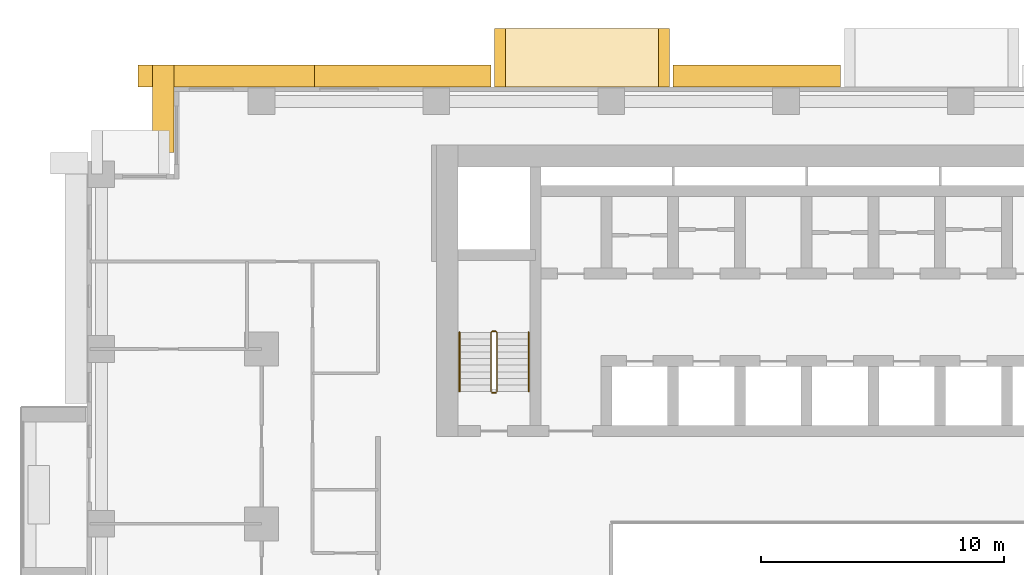
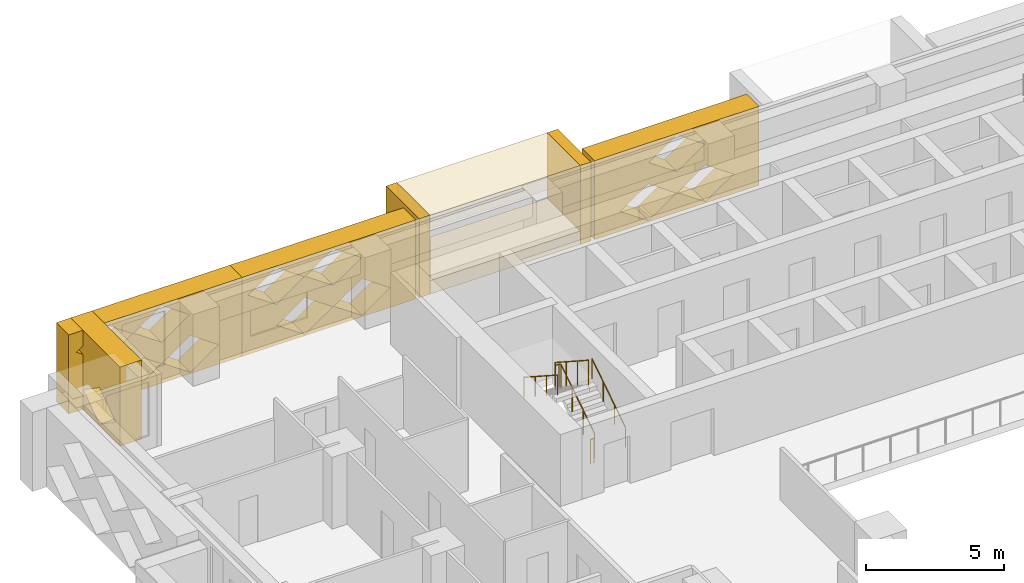
# One storey, part 15 of 17: 8 coverings, 4 railings.
"""IFC4 building model written with IfcOpenShell, lengths in metres."""

from ifc_helpers import new_model, si_unit, direction, frame, origin, origin_2d, place, context, subcontext, project, spatial, polyline, circle, outline, extrude, material, type_object, element, save


model = new_model("IFC4")

# Units and contexts
model_context = context("Model", 3, precision=1e-05, world=origin(), true_north=direction((0.0, 1.0)))
body_context = subcontext(model_context, "Body", "Model", "MODEL_VIEW")
ifc_project = project(units=[si_unit("LENGTHUNIT", "METRE"), si_unit("AREAUNIT", "SQUARE_METRE"), si_unit("VOLUMEUNIT", "CUBIC_METRE"), si_unit("PLANEANGLEUNIT", "RADIAN"), si_unit("MASSUNIT", "GRAM", prefix="KILO")], contexts=[model_context])

# Site, building, storey
site_placement = place(None, origin())
site = spatial("IfcSite", under=ifc_project, at=site_placement, CompositionType="ELEMENT")
building_placement = place(site_placement, origin())
building = spatial("IfcBuilding", under=site, at=building_placement, Name="Saffron Iwan Residences", CompositionType="ELEMENT")
storey_placement = place(building_placement, frame((0.0, 0.0, 41.0)))
storey = spatial("IfcBuildingStorey", under=building, at=storey_placement, Name="L09", CompositionType="ELEMENT", Elevation=41.0)

# Coverings
ifc_material_1 = material(Name="Precast concrete C40/50", Category="concrete")
covering_type_1 = type_object("IfcCoveringType", Name="OUTER SKIN LATTICE SCREEN", PredefinedType="CLADDING", material=ifc_material_1)
covering_1_placement = place(storey_placement, frame((45.449951171875, 80.39990234375, -0.320068359375), z_axis=(0.0, 1.0, 0.0), x_axis=(-1.0, 0.0, 0.0)))
element("IfcCovering", 1, at=covering_1_placement, inside=storey, type_object=covering_type_1, Name="OUTER SKIN lattice screen L09 F5.3", PredefinedType="CLADDING", context=body_context, shape_type="SweptSolid", body=[
    extrude(outline(polyline([(0.0, 0.0), (6.89990234375, 0.0), (6.89990234375, 3.5), (0.0, 3.5), (0.0, 0.0)]), holes=[polyline([(1.070068359375, 0.875), (2.25, 0.06005859375), (3.429931640625, 0.875), (2.25, 1.68994140625), (1.070068359375, 0.875)]), polyline([(3.469970703125, 0.875), (4.64990234375, 0.06005859375), (5.830078125, 0.875), (4.64990234375, 1.68994140625), (3.469970703125, 0.875)]), polyline([(2.27001953125, 2.625), (3.449951171875, 1.81005859375), (4.6298828125, 2.625), (3.449951171875, 3.43994140625), (2.27001953125, 2.625)])]), origin(), (0.0, 0.0, 1.0), 0.900146484375),
])
covering_2_placement = place(storey_placement, frame((31.050048828125, 80.39990234375, -0.320068359375), z_axis=(0.0, 1.0, 0.0), x_axis=(-1.0, 0.0, 0.0)))
element("IfcCovering", 2, at=covering_2_placement, inside=storey, type_object=covering_type_1, Name="OUTER SKIN lattice screen L09 F5.4", PredefinedType="CLADDING", context=body_context, shape_type="SweptSolid", body=[
    extrude(outline(polyline([(0.0, 0.0), (7.27490234375, 0.0), (7.27490234375, 3.5), (0.0, 3.5), (0.0, 0.0)]), holes=[polyline([(1.070068359375, 0.875), (2.25, 0.06005859375), (3.429931640625, 0.875), (2.25, 1.68994140625), (1.070068359375, 0.875)]), polyline([(3.469970703125, 0.875), (4.64990234375, 0.06005859375), (5.830078125, 0.875), (4.64990234375, 1.68994140625), (3.469970703125, 0.875)]), polyline([(2.27001953125, 2.625), (3.449951171875, 1.81005859375), (4.6298828125, 2.625), (3.449951171875, 3.43994140625), (2.27001953125, 2.625)]), polyline([(4.669921875, 2.625), (5.85009765625, 1.81005859375), (7.030029296875, 2.625), (5.85009765625, 3.43994140625), (4.669921875, 2.625)])]), origin(), (0.0, 0.0, 1.0), 0.900146484375),
])
covering_3_placement = place(storey_placement, frame((23.77490234375, 80.39990234375, -0.320068359375), z_axis=(0.0, 1.0, 0.0), x_axis=(-1.0, 0.0, 0.0)))
element("IfcCovering", 3, at=covering_3_placement, inside=storey, type_object=covering_type_1, Name="OUTER SKIN lattice screen L09 F5.5", PredefinedType="CLADDING", context=body_context, shape_type="SweptSolid", body=[
    extrude(outline(polyline([(0.0, 0.0), (7.27490234375, 0.0), (7.27490234375, 3.5), (0.0, 3.5), (0.0, 0.0)]), holes=[polyline([(0.9951171875, 0.875), (2.175048828125, 0.06005859375), (3.35498046875, 0.875), (2.175048828125, 1.68994140625), (0.9951171875, 0.875)]), polyline([(3.39501953125, 0.875), (4.574951171875, 0.06005859375), (5.7548828125, 0.875), (4.574951171875, 1.68994140625), (3.39501953125, 0.875)]), polyline([(2.195068359375, 2.625), (3.375, 1.81005859375), (4.554931640625, 2.625), (3.375, 3.43994140625), (2.195068359375, 2.625)]), polyline([(4.594970703125, 2.625), (5.77490234375, 1.81005859375), (6.955078125, 2.625), (5.77490234375, 3.43994140625), (4.594970703125, 2.625)])]), origin(), (0.0, 0.0, 1.0), 0.900146484375),
])
covering_4_placement = place(storey_placement, frame((18.0, 81.300048828125, -0.320068359375), z_axis=(-1.0, 0.0, 0.0), x_axis=(0.0, -1.0, 0.0)))
element("IfcCovering", 4, at=covering_4_placement, inside=storey, type_object=covering_type_1, Name="OUTER SKIN lattice screen L09 F6.0", PredefinedType="CLADDING", context=body_context, shape_type="SweptSolid", body=[
    extrude(outline(polyline([(0.0, 0.0), (3.60009765625, 0.0), (3.60009765625, 3.5), (0.0, 3.5), (0.0, 0.0)]), holes=[polyline([(0.919921875, 0.875), (2.10009765625, 0.06005859375), (3.280029296875, 0.875), (2.10009765625, 1.68994140625), (0.919921875, 0.875)])]), origin(), (0.0, 0.0, 1.0), 0.89990234375),
])

# Railings
ifc_material_2 = material(Name="Steel S355", Category="steel")
railing_type_1 = type_object("IfcRailingType", Name="Stair guard 1100", PredefinedType="GUARDRAIL", material=ifc_material_2)
railing_1_placement = place(storey_placement, frame((31.300048828125, 67.85009765625, 0.175048828125)))
element("IfcRailing", 5, at=railing_1_placement, inside=storey, type_object=railing_type_1, Name="L09 ST-W stair guard 1", PredefinedType="GUARDRAIL", context=body_context, shape_type="SweptSolid", body=[
    extrude(circle(Radius=0.02392578125, at=origin_2d()), frame((0.0, 0.0, 1.076171875), z_axis=(0.0, 0.839153699163, 0.543894354798), x_axis=(-1.0, 0.0, 0.0)), (0.0, 0.0, 1.0), 2.895751953125),
    extrude(circle(Radius=0.02392578125, at=origin_2d()), frame((0.0, 2.429931640625, 2.65087890625), z_axis=(-0.707106781187, 0.707106781187, 0.0), x_axis=(-0.707106781187, -0.707106781187, 0.0)), (0.0, 0.0, 1.0), 0.07080078125),
    extrude(circle(Radius=0.02392578125, at=origin_2d()), frame((-0.050048828125, 2.47998046875, 2.65087890625), z_axis=(-1.0, 0.0, 0.0), x_axis=(0.0, -1.0, 0.0)), (0.0, 0.0, 1.0), 0.14990234375),
    extrude(circle(Radius=0.02392578125, at=origin_2d()), frame((-0.199951171875, 2.47998046875, 2.65087890625), z_axis=(-0.265065253269, -0.265065253269, 0.927081885822), x_axis=(0.707106781187, -0.707106781187, 0.0)), (0.0, 0.0, 1.0), 0.188720703125),
    extrude(circle(Radius=0.02392578125, at=origin_2d()), frame((-0.25, 2.429931640625, 2.826171875), z_axis=(0.0, -0.839153699163, 0.543894354798), x_axis=(1.0, 0.0, 0.0)), (0.0, 0.0, 1.0), 2.895751953125),
    extrude(circle(Radius=0.02099609375, at=origin_2d()), origin(), (0.0, 0.0, 1.0), 1.052001953125),
    extrude(circle(Radius=0.02099609375, at=origin_2d()), frame((0.0, 0.81005859375, 0.52490234375)), (0.0, 0.0, 1.0), 1.052001953125),
    extrude(circle(Radius=0.02099609375, at=origin_2d()), frame((0.0, 1.619873046875, 1.050048828125)), (0.0, 0.0, 1.0), 1.052001953125),
    extrude(circle(Radius=0.02099609375, at=origin_2d()), frame((0.0, 2.429931640625, 1.574951171875)), (0.0, 0.0, 1.0), 1.052001953125),
    extrude(circle(Radius=0.02099609375, at=origin_2d()), frame((-0.050048828125, 2.47998046875, 1.574951171875)), (0.0, 0.0, 1.0), 1.052001953125),
    extrude(circle(Radius=0.02099609375, at=origin_2d()), frame((-0.199951171875, 2.47998046875, 1.574951171875)), (0.0, 0.0, 1.0), 1.052001953125),
    extrude(circle(Radius=0.02099609375, at=origin_2d()), frame((-0.25, 2.429931640625, 1.75)), (0.0, 0.0, 1.0), 1.052001953125),
    extrude(circle(Radius=0.02099609375, at=origin_2d()), frame((-0.25, 1.619873046875, 2.27490234375)), (0.0, 0.0, 1.0), 1.052001953125),
    extrude(circle(Radius=0.02099609375, at=origin_2d()), frame((-0.25, 0.81005859375, 2.800048828125)), (0.0, 0.0, 1.0), 1.052001953125),
    extrude(circle(Radius=0.02099609375, at=origin_2d()), frame((-0.25, 0.0, 3.324951171875)), (0.0, 0.0, 1.0), 1.052001953125),
])
railing_2_placement = place(storey_placement, frame((31.25, 67.800048828125, 0.0)))
element("IfcRailing", 6, at=railing_2_placement, inside=storey, type_object=railing_type_1, Name="L09 ST-W stair guard 2", PredefinedType="GUARDRAIL", context=body_context, shape_type="SweptSolid", body=[
    extrude(circle(Radius=0.02392578125, at=origin_2d()), frame((0.0, 0.0, 1.076171875), z_axis=(-1.0, 0.0, 0.0), x_axis=(0.0, -1.0, 0.0)), (0.0, 0.0, 1.0), 0.14990234375),
    extrude(circle(Radius=0.02099609375, at=origin_2d()), origin(), (0.0, 0.0, 1.0), 1.052001953125),
    extrude(circle(Radius=0.02099609375, at=origin_2d()), frame((-0.14990234375, 0.0, 0.0)), (0.0, 0.0, 1.0), 1.052001953125),
])
ifc_material_3 = material(Name="Stainless steel 316", Category="steel")
railing_type_2 = type_object("IfcRailingType", Name="Stair handrail 900", PredefinedType="HANDRAIL", material=ifc_material_3)
railing_3_placement = place(storey_placement, frame((32.60009765625, 67.85009765625, 0.175048828125)))
element("IfcRailing", 7, at=railing_3_placement, inside=storey, type_object=railing_type_2, Name="L09 ST-W stair handrail 1", PredefinedType="HANDRAIL", context=body_context, shape_type="SweptSolid", body=[
    extrude(circle(Radius=0.02392578125, at=origin_2d()), frame((0.0, 0.0, 0.8759765625), z_axis=(0.0, 0.839153699163, 0.543894354798), x_axis=(-1.0, 0.0, 0.0)), (0.0, 0.0, 1.0), 2.895751953125),
    extrude(circle(Radius=0.02099609375, at=origin_2d()), origin(), (0.0, 0.0, 1.0), 0.851806640625),
    extrude(circle(Radius=0.02099609375, at=origin_2d()), frame((0.0, 0.81005859375, 0.52490234375)), (0.0, 0.0, 1.0), 0.851806640625),
    extrude(circle(Radius=0.02099609375, at=origin_2d()), frame((0.0, 1.619873046875, 1.050048828125)), (0.0, 0.0, 1.0), 0.851806640625),
    extrude(circle(Radius=0.02099609375, at=origin_2d()), frame((0.0, 2.429931640625, 1.574951171875)), (0.0, 0.0, 1.0), 0.851806640625),
])
railing_4_placement = place(storey_placement, frame((29.75, 70.280029296875, 1.925048828125)))
element("IfcRailing", 8, at=railing_4_placement, inside=storey, type_object=railing_type_2, Name="L09 ST-W stair handrail 2", PredefinedType="HANDRAIL", context=body_context, shape_type="SweptSolid", body=[
    extrude(circle(Radius=0.02392578125, at=origin_2d()), frame((0.0, 0.0, 0.8759765625), z_axis=(0.0, -0.839153699163, 0.543894354798), x_axis=(1.0, 0.0, 0.0)), (0.0, 0.0, 1.0), 2.895751953125),
    extrude(circle(Radius=0.02099609375, at=origin_2d()), origin(), (0.0, 0.0, 1.0), 0.851806640625),
    extrude(circle(Radius=0.02099609375, at=origin_2d()), frame((0.0, -0.81005859375, 0.52490234375)), (0.0, 0.0, 1.0), 0.851806640625),
    extrude(circle(Radius=0.02099609375, at=origin_2d()), frame((0.0, -1.619873046875, 1.050048828125)), (0.0, 0.0, 1.0), 0.851806640625),
    extrude(circle(Radius=0.02099609375, at=origin_2d()), frame((0.0, -2.429931640625, 1.574951171875)), (0.0, 0.0, 1.0), 0.851806640625),
])

# Coverings
ifc_material_4 = material(Name="Precast concrete C40/50 white painted", Category="concrete")
covering_type_2 = type_object("IfcCoveringType", Name="WHITE SUN FRAME PRECAST", PredefinedType="CLADDING", material=ifc_material_4)
for number, where, z_axis, x_axis, name in (
    (9, (38.39990234375, 80.39990234375, -0.320068359375), (0.0, 1.0, 0.0), (-1.0, 0.0, 0.0), "Sun frame L09 F5 44.4a"),
    (10, (31.64990234375, 80.39990234375, -0.320068359375), (0.0, 1.0, 0.0), (-1.0, 0.0, 0.0), "Sun frame L09 F5 44.4b"),
):
    element("IfcCovering", number, at=place(storey_placement, frame(where, z_axis=z_axis, x_axis=x_axis)), inside=storey, type_object=covering_type_2, Name=name, PredefinedType="CLADDING", context=body_context, shape_type="SweptSolid", body=[
        extrude(outline(polyline([(0.0, 0.0), (0.449951171875, 0.0), (0.449951171875, 3.5), (0.0, 3.5), (0.0, 0.0)])), origin(), (0.0, 0.0, 1.0), 2.400146484375),
    ])
for number, where, z_axis, x_axis, name in (
    (11, (37.949951171875, 80.39990234375, 2.580078125), (0.0, 1.0, 0.0), (-1.0, 0.0, 0.0), "Sun frame L09 F5 44.4h"),
    (12, (37.949951171875, 80.39990234375, -0.320068359375), (0.0, 1.0, 0.0), (-1.0, 0.0, 0.0), "Sun frame L09 F5 44.4s"),
):
    element("IfcCovering", number, at=place(storey_placement, frame(where, z_axis=z_axis, x_axis=x_axis)), inside=storey, type_object=covering_type_2, Name=name, PredefinedType="CLADDING", context=body_context, shape_type="SweptSolid", body=[
        extrude(outline(polyline([(0.0, 0.0), (6.300048828125, 0.0), (6.300048828125, 0.60009765625), (0.0, 0.60009765625), (0.0, 0.0)])), origin(), (0.0, 0.0, 1.0), 2.400146484375),
    ])

save(model, "model.ifc")
